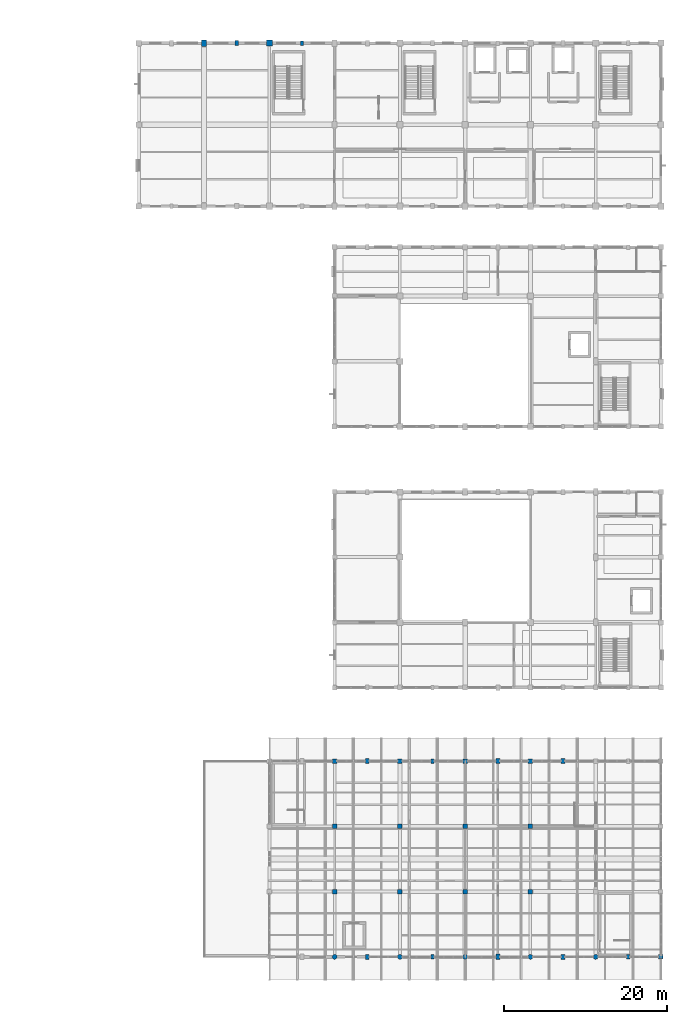
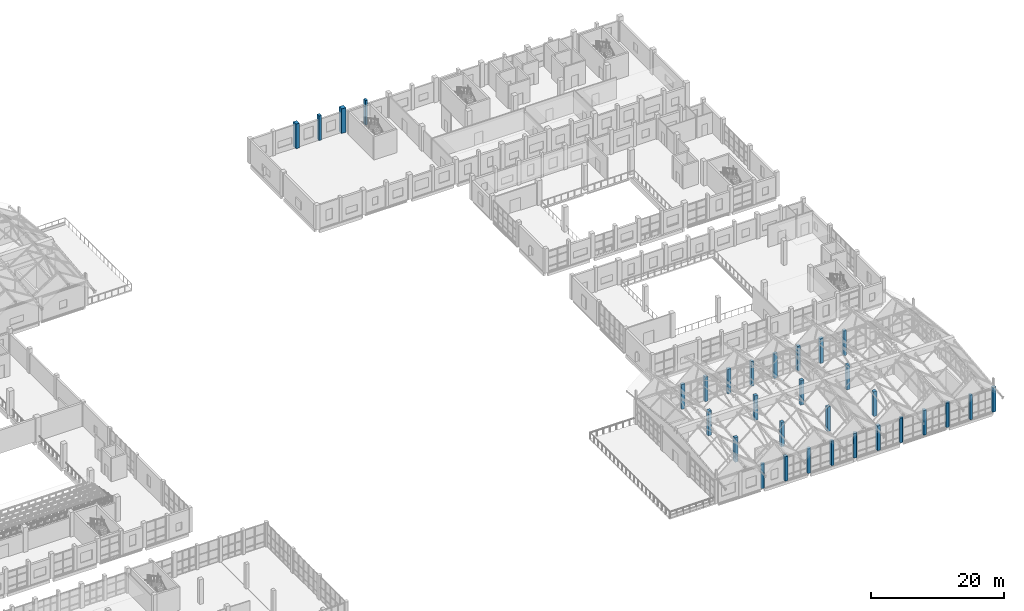
# One storey, part 9 of 183: 31 columns.
"""IFC4 building model written with IfcOpenShell, lengths in metres."""

from ifc_helpers import new_model, si_unit, direction, frame, origin, origin_2d, place, context, subcontext, project, spatial, rectangle, circle, extrude, material, material_profile, profile_set, type_object, element, save


model = new_model("IFC4")

# Units and contexts
model_context = context("Model", 3, precision=1e-05, world=origin(), true_north=direction((0.0, 1.0)))
body_context = subcontext(model_context, "Body", "Model", "MODEL_VIEW")
ifc_project = project(units=[si_unit("LENGTHUNIT", "METRE"), si_unit("AREAUNIT", "SQUARE_METRE"), si_unit("VOLUMEUNIT", "CUBIC_METRE"), si_unit("PLANEANGLEUNIT", "RADIAN"), si_unit("MASSUNIT", "GRAM", prefix="KILO")], contexts=[model_context])

# Site, building, storey
site_placement = place(None, origin())
site = spatial("IfcSite", under=ifc_project, at=site_placement, CompositionType="ELEMENT")
building_placement = place(site_placement, origin())
building = spatial("IfcBuilding", under=site, at=building_placement, Name="Luwemba Playhouse", CompositionType="ELEMENT")
storey_placement = place(building_placement, frame((0.0, 0.0, 4.800048828125)))
storey = spatial("IfcBuildingStorey", under=building, at=storey_placement, Name="L01", CompositionType="ELEMENT", Elevation=4.800048828125)

# Columns
ifc_material = material(Name="Concrete C40/50", Category="concrete")
ifc_material_profile_1 = material_profile(ifc_material, rectangle(XDim=0.550048828125, YDim=0.550048828125, at=origin_2d()))
ifc_profile_set_1 = profile_set([ifc_material_profile_1], Name="Concrete C40/50")
column_type_1 = type_object("IfcColumnType", Name="COL-C03", PredefinedType="COLUMN", material=ifc_profile_set_1)
for number, where, z_axis, x_axis, name in (
    (1, (132.0, 11.0, 0.0), (0.0, 0.0, 1.0), (1.0, 0.0, 0.0), "L01 column 173"),
    (2, (132.0, 19.0, 0.0), (0.0, 0.0, 1.0), (1.0, 0.0, 0.0), "L01 column 174"),
    (3, (132.0, 27.0, 0.0), (0.0, 0.0, 1.0), (1.0, 0.0, 0.0), "L01 column 175"),
    (4, (140.0, 11.0, 0.0), (0.0, 0.0, 1.0), (1.0, 0.0, 0.0), "L01 column 196"),
    (5, (140.0, 19.0, 0.0), (0.0, 0.0, 1.0), (1.0, 0.0, 0.0), "L01 column 197"),
    (6, (140.0, 27.0, 0.0), (0.0, 0.0, 1.0), (1.0, 0.0, 0.0), "L01 column 198"),
    (7, (148.0, 11.0, 0.0), (0.0, 0.0, 1.0), (1.0, 0.0, 0.0), "L01 column 219"),
    (8, (148.0, 19.0, 0.0), (0.0, 0.0, 1.0), (1.0, 0.0, 0.0), "L01 column 220"),
    (9, (148.0, 27.0, 0.0), (0.0, 0.0, 1.0), (1.0, 0.0, 0.0), "L01 column 221"),
    (10, (156.0, 11.0, 0.0), (0.0, 0.0, 1.0), (1.0, 0.0, 0.0), "L01 column 242"),
    (11, (156.0, 19.0, 0.0), (0.0, 0.0, 1.0), (1.0, 0.0, 0.0), "L01 column 243"),
    (12, (156.0, 27.0, 0.0), (0.0, 0.0, 1.0), (1.0, 0.0, 0.0), "L01 column 244"),
    (13, (172.0, 3.0, 0.0), (0.0, 0.0, 1.0), (1.0, 0.0, 0.0), "L01 column 287"),
):
    element("IfcColumn", number, at=place(storey_placement, frame(where, z_axis=z_axis, x_axis=x_axis)), inside=storey, type_object=column_type_1, Name=name, PredefinedType="COLUMN", context=body_context, shape_type="SweptSolid", body=[
        extrude(rectangle(XDim=0.550048828125, YDim=0.550048828125, at=origin_2d()), origin(), (0.0, 0.0, 1.0), 4.5),
    ])
ifc_material_profile_2 = material_profile(ifc_material, rectangle(XDim=0.75, YDim=0.75, at=origin_2d()))
ifc_profile_set_2 = profile_set([ifc_material_profile_2], Name="Concrete C40/50")
column_type_2 = type_object("IfcColumnType", Name="COL-C07", PredefinedType="COLUMN", material=ifc_profile_set_2)
column_1_placement = place(storey_placement, frame((124.0, 115.0, 0.0), z_axis=(0.0, 0.0, 1.0), x_axis=(1.0, 0.0, 0.0)))
element("IfcColumn", 14, at=column_1_placement, inside=storey, type_object=column_type_2, Name="L01 column 167", PredefinedType="COLUMN", context=body_context, shape_type="SweptSolid", body=[
    extrude(rectangle(XDim=0.75, YDim=0.75, at=origin_2d()), origin(), (0.0, 0.0, 1.0), 4.5),
])
ifc_material_profile_3 = material_profile(ifc_material, rectangle(XDim=0.60009765625, YDim=0.800048828125, at=origin_2d()))
ifc_profile_set_3 = profile_set([ifc_material_profile_3], Name="Concrete C40/50")
column_type_3 = type_object("IfcColumnType", Name="COL-C12", PredefinedType="COLUMN", material=ifc_profile_set_3)
column_2_placement = place(storey_placement, frame((116.0, 115.0, 0.0), z_axis=(0.0, 0.0, 1.0), x_axis=(1.0, 0.0, 0.0)))
element("IfcColumn", 15, at=column_2_placement, inside=storey, type_object=column_type_3, Name="L01 column 156", PredefinedType="COLUMN", context=body_context, shape_type="SweptSolid", body=[
    extrude(rectangle(XDim=0.60009765625, YDim=0.800048828125, at=origin_2d()), origin(), (0.0, 0.0, 1.0), 4.5),
])
ifc_material_profile_4 = material_profile(ifc_material, circle(Radius=0.300048828125, at=origin_2d()))
ifc_profile_set_4 = profile_set([ifc_material_profile_4], Name="Concrete C40/50")
column_type_4 = type_object("IfcColumnType", Name="COL-C14", PredefinedType="COLUMN", material=ifc_profile_set_4)
for number, where, z_axis, x_axis, name in (
    (16, (132.0, 3.0, 0.0), (0.0, 0.0, 1.0), (1.0, 0.0, 0.0), "L01 column 172"),
    (17, (140.0, 3.0, 0.0), (0.0, 0.0, 1.0), (1.0, 0.0, 0.0), "L01 column 195"),
    (18, (148.0, 3.0, 0.0), (0.0, 0.0, 1.0), (1.0, 0.0, 0.0), "L01 column 218"),
    (19, (156.0, 3.0, 0.0), (0.0, 0.0, 1.0), (1.0, 0.0, 0.0), "L01 column 241"),
    (20, (164.0, 3.0, 0.0), (0.0, 0.0, 1.0), (1.0, 0.0, 0.0), "L01 column 264"),
):
    element("IfcColumn", number, at=place(storey_placement, frame(where, z_axis=z_axis, x_axis=x_axis)), inside=storey, type_object=column_type_4, Name=name, PredefinedType="COLUMN", context=body_context, shape_type="SweptSolid", body=[
        extrude(circle(Radius=0.300048828125, at=origin_2d()), origin(), (0.0, 0.0, 1.0), 4.5),
    ])
ifc_material_profile_5 = material_profile(ifc_material, rectangle(XDim=0.39990234375, YDim=0.550048828125, at=origin_2d()))
ifc_profile_set_5 = profile_set([ifc_material_profile_5], Name="Concrete C40/50")
column_type_5 = type_object("IfcColumnType", Name="COL-PIL1", PredefinedType="PILASTER", material=ifc_profile_set_5)
for number, where, z_axis, x_axis, name in (
    (21, (128.0, 115.0, 0.0), (0.0, 0.0, 1.0), (1.0, 0.0, 0.0), "L01 column 171"),
    (22, (144.0, 3.0, 0.0), (0.0, 0.0, 1.0), (1.0, 0.0, 0.0), "L01 column 210"),
    (23, (144.0, 27.0, 0.0), (0.0, 0.0, 1.0), (1.0, 0.0, 0.0), "L01 column 211"),
    (24, (168.0, 3.0, 0.0), (0.0, 0.0, 1.0), (1.0, 0.0, 0.0), "L01 column 279"),
):
    element("IfcColumn", number, at=place(storey_placement, frame(where, z_axis=z_axis, x_axis=x_axis)), inside=storey, type_object=column_type_5, Name=name, PredefinedType="PILASTER", context=body_context, shape_type="SweptSolid", body=[
        extrude(rectangle(XDim=0.39990234375, YDim=0.550048828125, at=origin_2d()), origin(), (0.0, 0.0, 1.0), 4.5),
    ])
ifc_material_profile_6 = material_profile(ifc_material, rectangle(XDim=0.449951171875, YDim=0.60009765625, at=origin_2d()))
ifc_profile_set_6 = profile_set([ifc_material_profile_6], Name="Concrete C40/50")
column_type_6 = type_object("IfcColumnType", Name="COL-PIL2", PredefinedType="PILASTER", material=ifc_profile_set_6)
for number, where, z_axis, x_axis, name in (
    (25, (120.0, 115.0, 0.0), (0.0, 0.0, 1.0), (1.0, 0.0, 0.0), "L01 column 160"),
    (26, (136.0, 3.0, 0.0), (0.0, 0.0, 1.0), (1.0, 0.0, 0.0), "L01 column 187"),
    (27, (136.0, 27.0, 0.0), (0.0, 0.0, 1.0), (1.0, 0.0, 0.0), "L01 column 188"),
    (28, (160.0, 3.0, 0.0), (0.0, 0.0, 1.0), (1.0, 0.0, 0.0), "L01 column 256"),
    (29, (160.0, 27.0, 0.0), (0.0, 0.0, 1.0), (1.0, 0.0, 0.0), "L01 column 257"),
):
    element("IfcColumn", number, at=place(storey_placement, frame(where, z_axis=z_axis, x_axis=x_axis)), inside=storey, type_object=column_type_6, Name=name, PredefinedType="PILASTER", context=body_context, shape_type="SweptSolid", body=[
        extrude(rectangle(XDim=0.449951171875, YDim=0.60009765625, at=origin_2d()), origin(), (0.0, 0.0, 1.0), 4.5),
    ])
ifc_material_profile_7 = material_profile(ifc_material, rectangle(XDim=0.5, YDim=0.64990234375, at=origin_2d()))
ifc_profile_set_7 = profile_set([ifc_material_profile_7], Name="Concrete C40/50")
column_type_7 = type_object("IfcColumnType", Name="COL-PIL3", PredefinedType="PILASTER", material=ifc_profile_set_7)
for number, where, z_axis, x_axis, name in (
    (30, (152.0, 3.0, 0.0), (0.0, 0.0, 1.0), (1.0, 0.0, 0.0), "L01 column 233"),
    (31, (152.0, 27.0, 0.0), (0.0, 0.0, 1.0), (1.0, 0.0, 0.0), "L01 column 234"),
):
    element("IfcColumn", number, at=place(storey_placement, frame(where, z_axis=z_axis, x_axis=x_axis)), inside=storey, type_object=column_type_7, Name=name, PredefinedType="PILASTER", context=body_context, shape_type="SweptSolid", body=[
        extrude(rectangle(XDim=0.5, YDim=0.64990234375, at=origin_2d()), origin(), (0.0, 0.0, 1.0), 4.5),
    ])

save(model, "model.ifc")
